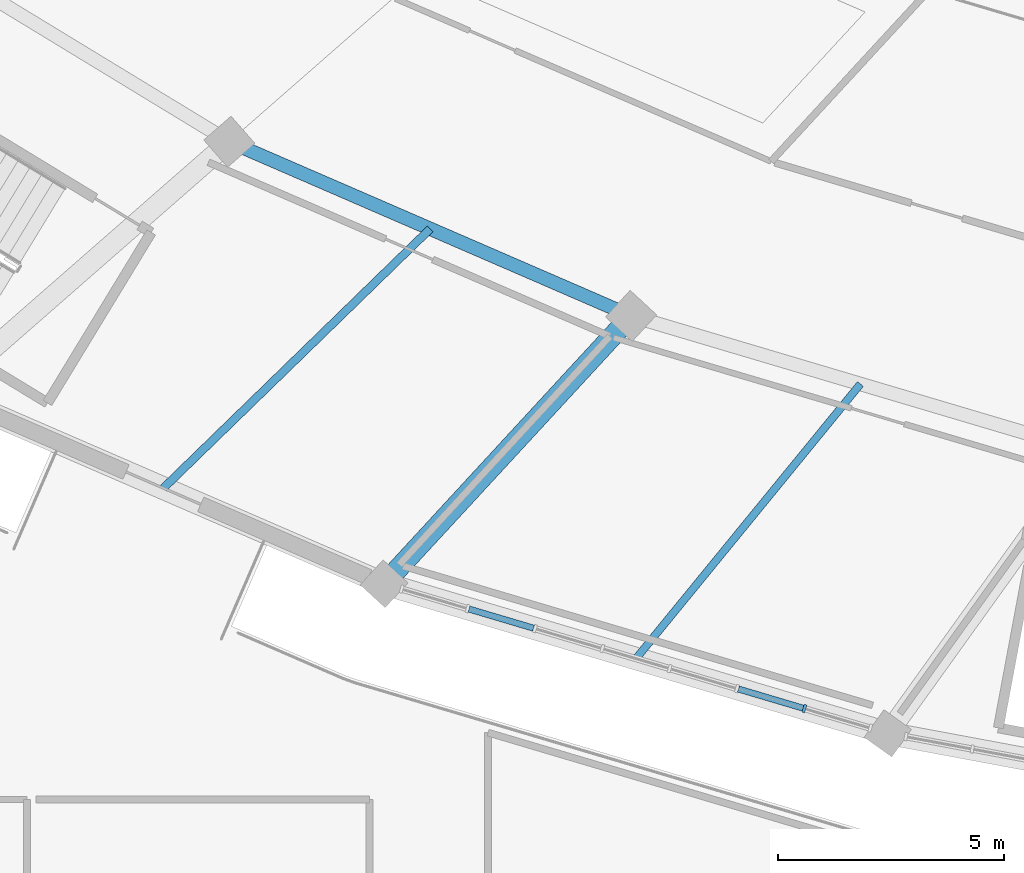
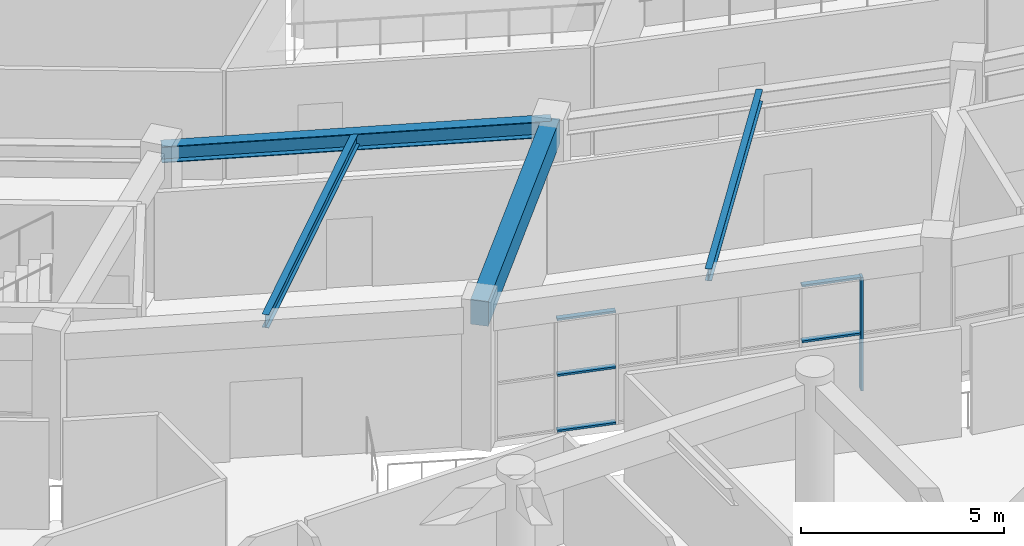
# One storey, part 16 of 141: 6 members, 4 beams, 1 element without a shape of its own.
"""IFC4 building model written with IfcOpenShell, lengths in metres."""

from ifc_helpers import new_model, si_unit, direction, frame, origin, origin_2d, place, context, subcontext, project, spatial, rectangle, i_section, extrude, material, layer, layer_set, material_profile, profile_set, type_object, element, aggregate, save


model = new_model("IFC4")

# Units and contexts
model_context = context("Model", 3, precision=1e-05, world=origin(), true_north=direction((0.0, 1.0)))
body_context = subcontext(model_context, "Body", "Model", "MODEL_VIEW")
ifc_project = project(units=[si_unit("LENGTHUNIT", "METRE"), si_unit("AREAUNIT", "SQUARE_METRE"), si_unit("VOLUMEUNIT", "CUBIC_METRE"), si_unit("PLANEANGLEUNIT", "RADIAN"), si_unit("MASSUNIT", "GRAM", prefix="KILO")], contexts=[model_context])

# Site, building, storey
site_placement = place(None, origin())
site = spatial("IfcSite", under=ifc_project, at=site_placement, CompositionType="ELEMENT")
building_placement = place(site_placement, origin())
building = spatial("IfcBuilding", under=site, at=building_placement, Name="Mphavela Belvedere Stadium", CompositionType="ELEMENT")
storey_placement = place(building_placement, frame((0.0, 0.0, 14.699951171875)))
storey = spatial("IfcBuildingStorey", under=building, at=storey_placement, Name="L03", CompositionType="ELEMENT", Elevation=14.699951171875)

# Beams
ifc_material_1 = material(Name="Steel S355", Category="steel")
ifc_material_profile_1 = material_profile(ifc_material_1, i_section(OverallWidth=0.169921875, OverallDepth=0.360107421875, WebThickness=0.008056640625, FlangeThickness=0.0126953125, at=origin_2d()), Name="IPE 360")
ifc_profile_set_1 = profile_set([ifc_material_profile_1], Name="Steel S355")
beam_type_1 = type_object("IfcBeamType", Name="BM-JOIST-IPE360", PredefinedType="JOIST", material=ifc_profile_set_1)
beam_1_placement = place(storey_placement, frame((64.593017578125, 25.327392578125, 4.070068359375), z_axis=(-0.632839277586, -0.774283183818, 0.0), x_axis=(0.774283183818, -0.632839277586, 0.0)))
element("IfcBeam", 1, at=beam_1_placement, inside=storey, type_object=beam_type_1, Name="Concourse floor joist L03-33", PredefinedType="JOIST", context=body_context, shape_type="SweptSolid", body=[
    extrude(i_section(OverallWidth=0.169921875, OverallDepth=0.360107421875, WebThickness=0.008056640625, FlangeThickness=0.0126953125, at=origin_2d()), origin(), (0.0, 0.0, 1.0), 7.841552734375),
])
ifc_material_2 = material(Name="Steel S355", Category="steel")
ifc_material_profile_2 = material_profile(ifc_material_2, i_section(OverallWidth=0.179931640625, OverallDepth=0.39990234375, WebThickness=0.008544921875, FlangeThickness=0.013427734375, at=origin_2d()), Name="IPE 400")
ifc_profile_set_2 = profile_set([ifc_material_profile_2], Name="Steel S355")
beam_type_2 = type_object("IfcBeamType", Name="BM-JOIST-IPE400", PredefinedType="JOIST", material=ifc_profile_set_2)
beam_2_placement = place(storey_placement, frame((55.081787109375, 28.757568359375, 4.050048828125), z_axis=(-0.717067022089, -0.697004222249, 0.0), x_axis=(0.697004222249, -0.717067022089, 0.0)))
element("IfcBeam", 2, at=beam_2_placement, inside=storey, type_object=beam_type_2, Name="Concourse floor joist L03-32", PredefinedType="JOIST", context=body_context, shape_type="SweptSolid", body=[
    extrude(i_section(OverallWidth=0.179931640625, OverallDepth=0.39990234375, WebThickness=0.008544921875, FlangeThickness=0.013427734375, at=origin_2d()), origin(), (0.0, 0.0, 1.0), 8.22607421875),
])
ifc_material_3 = material(Name="Concrete C40/50", Category="concrete")
ifc_material_profile_3 = material_profile(ifc_material_3, rectangle(XDim=0.449951171875, YDim=0.75, at=origin_2d()), Name="RC 450x750")
ifc_profile_set_3 = profile_set([ifc_material_profile_3], Name="Concrete C40/50")
beam_type_3 = type_object("IfcBeamType", Name="BM-RC450x750", PredefinedType="BEAM", material=ifc_profile_set_3)
beam_3_placement = place(storey_placement, frame((59.523681640625, 26.83203125, 3.875), z_axis=(-0.67784325477, -0.735206448532, 0.0), x_axis=(0.735206448532, -0.67784325477, 0.0)))
element("IfcBeam", 3, at=beam_3_placement, inside=storey, type_object=beam_type_3, Name="Radial concourse girder L03 R3R4-33", PredefinedType="BEAM", context=body_context, shape_type="SweptSolid", body=[
    extrude(rectangle(XDim=0.449951171875, YDim=0.75, at=origin_2d()), origin(), (0.0, 0.0, 1.0), 8.056640625),
])
ifc_material_4 = material(Name="Steel S355", Category="steel")
ifc_material_profile_4 = material_profile(ifc_material_4, i_section(OverallWidth=0.300048828125, OverallDepth=0.489990234375, WebThickness=0.011962890625, FlangeThickness=0.02294921875, at=origin_2d()), Name="HEA 500")
ifc_profile_set_4 = profile_set([ifc_material_profile_4], Name="Steel S355")
beam_type_4 = type_object("IfcBeamType", Name="BM-STEEL-HEA500", PredefinedType="BEAM", material=ifc_profile_set_4)
beam_4_placement = place(storey_placement, frame((50.639892578125, 30.68310546875, 4.005126953125), z_axis=(0.917501650019, -0.397731972832, 0.0), x_axis=(0.397731972832, 0.917501650019, 0.0)))
element("IfcBeam", 4, at=beam_4_placement, inside=storey, type_object=beam_type_4, Name="Circumferential girder L03 R3-32", PredefinedType="BEAM", context=body_context, shape_type="SweptSolid", body=[
    extrude(i_section(OverallWidth=0.300048828125, OverallDepth=0.489990234375, WebThickness=0.011962890625, FlangeThickness=0.02294921875, at=origin_2d()), origin(), (0.0, 0.0, 1.0), 9.6826171875),
])

# Curtain wall, members
ifc_material_5 = material(Name="Anodised bronze unitised curtain wall framing")
ifc_layer = layer(ifc_material_5, 0.18994140625)
ifc_layer_set = layer_set([ifc_layer], Name="Anodised bronze unitised curtain wall framing")
curtain_wall_type = type_object("IfcCurtainWallType", Name="CW-UNIT-03", PredefinedType="USERDEFINED", material=ifc_layer_set)
curtain_wall_placement = place(storey_placement, origin())
curtain_wall = element("IfcCurtainWall", 5, at=curtain_wall_placement, inside=storey, type_object=curtain_wall_type, Name="Belvedere colonnade curtain wall L03-33", ObjectType="UNITISED CURTAIN WALL", PredefinedType="USERDEFINED")
ifc_material_6 = material(Name="Anodised bronze extruded aluminium", Category="aluminium")
ifc_material_profile_5 = material_profile(ifc_material_6, rectangle(XDim=0.179931640625, YDim=0.06494140625, at=origin_2d()), Name="CW-MUL 180x65")
ifc_profile_set_5 = profile_set([ifc_material_profile_5], Name="Anodised bronze extruded aluminium")
member_type_1 = type_object("IfcMemberType", Name="CWM-180x65", PredefinedType="MULLION", material=ifc_profile_set_5)
member_1_placement = place(storey_placement, frame((63.3525390625, 18.151123046875, 0.0), z_axis=(0.0, 0.0, 1.0), x_axis=(0.284565000591, 0.958656747975, 0.0)))
member_1 = element("IfcMember", 6, at=member_1_placement, type_object=member_type_1, Name="CW-03 mullion 7", PredefinedType="MULLION", context=body_context, shape_type="SweptSolid", body=[
    extrude(rectangle(XDim=0.179931640625, YDim=0.06494140625, at=origin_2d()), origin(), (0.0, 0.0, 1.0), 3.420166015625),
])
ifc_material_7 = material(Name="Anodised bronze extruded aluminium", Category="aluminium")
ifc_material_profile_6 = material_profile(ifc_material_7, rectangle(XDim=0.139892578125, YDim=0.06005859375, at=origin_2d()), Name="CW-TRN 140x60")
ifc_profile_set_6 = profile_set([ifc_material_profile_6], Name="Anodised bronze extruded aluminium")
member_type_2 = type_object("IfcMemberType", Name="CWT-140x60", PredefinedType="USERDEFINED", material=ifc_profile_set_6)
member_2_placement = place(storey_placement, frame((55.93994140625, 20.351318359375, 0.030029296875), z_axis=(0.958662254845, -0.284546448117, 0.0), x_axis=(0.284546448117, 0.958662254845, 0.0)))
member_2 = element("IfcMember", 7, at=member_2_placement, type_object=member_type_2, Name="CW-03 transom 2.1", ObjectType="TRANSOM", PredefinedType="USERDEFINED", context=body_context, shape_type="SweptSolid", body=[
    extrude(rectangle(XDim=0.139892578125, YDim=0.06005859375, at=origin_2d()), origin(), (0.0, 0.0, 1.0), 1.48779296875),
])
member_3_placement = place(storey_placement, frame((55.93994140625, 20.351318359375, 1.7099609375), z_axis=(0.958662254845, -0.284546448117, 0.0), x_axis=(0.284546448117, 0.958662254845, 0.0)))
member_3 = element("IfcMember", 8, at=member_3_placement, type_object=member_type_2, Name="CW-03 transom 2.2", ObjectType="TRANSOM", PredefinedType="USERDEFINED", context=body_context, shape_type="SweptSolid", body=[
    extrude(rectangle(XDim=0.139892578125, YDim=0.06005859375, at=origin_2d()), origin(), (0.0, 0.0, 1.0), 1.48779296875),
])
member_4_placement = place(storey_placement, frame((55.93994140625, 20.351318359375, 3.39013671875), z_axis=(0.958662254845, -0.284546448117, 0.0), x_axis=(0.284546448117, 0.958662254845, 0.0)))
member_4 = element("IfcMember", 9, at=member_4_placement, type_object=member_type_2, Name="CW-03 transom 2.3", ObjectType="TRANSOM", PredefinedType="USERDEFINED", context=body_context, shape_type="SweptSolid", body=[
    extrude(rectangle(XDim=0.139892578125, YDim=0.06005859375, at=origin_2d()), origin(), (0.0, 0.0, 1.0), 1.48779296875),
])
member_5_placement = place(storey_placement, frame((61.894775390625, 18.583740234375, 1.7099609375), z_axis=(0.958675538205, -0.284501691468, 0.0), x_axis=(0.284501691468, 0.958675538205, 0.0)))
member_5 = element("IfcMember", 10, at=member_5_placement, type_object=member_type_2, Name="CW-03 transom 6.2", ObjectType="TRANSOM", PredefinedType="USERDEFINED", context=body_context, shape_type="SweptSolid", body=[
    extrude(rectangle(XDim=0.139892578125, YDim=0.06005859375, at=origin_2d()), origin(), (0.0, 0.0, 1.0), 1.488037109375),
])
member_6_placement = place(storey_placement, frame((61.894775390625, 18.583740234375, 3.39013671875), z_axis=(0.958675538205, -0.284501691468, 0.0), x_axis=(0.284501691468, 0.958675538205, 0.0)))
member_6 = element("IfcMember", 11, at=member_6_placement, type_object=member_type_2, Name="CW-03 transom 6.3", ObjectType="TRANSOM", PredefinedType="USERDEFINED", context=body_context, shape_type="SweptSolid", body=[
    extrude(rectangle(XDim=0.139892578125, YDim=0.06005859375, at=origin_2d()), origin(), (0.0, 0.0, 1.0), 1.488037109375),
])
aggregate(curtain_wall, [member_1, member_2, member_3, member_4, member_5, member_6])

save(model, "model.ifc")
